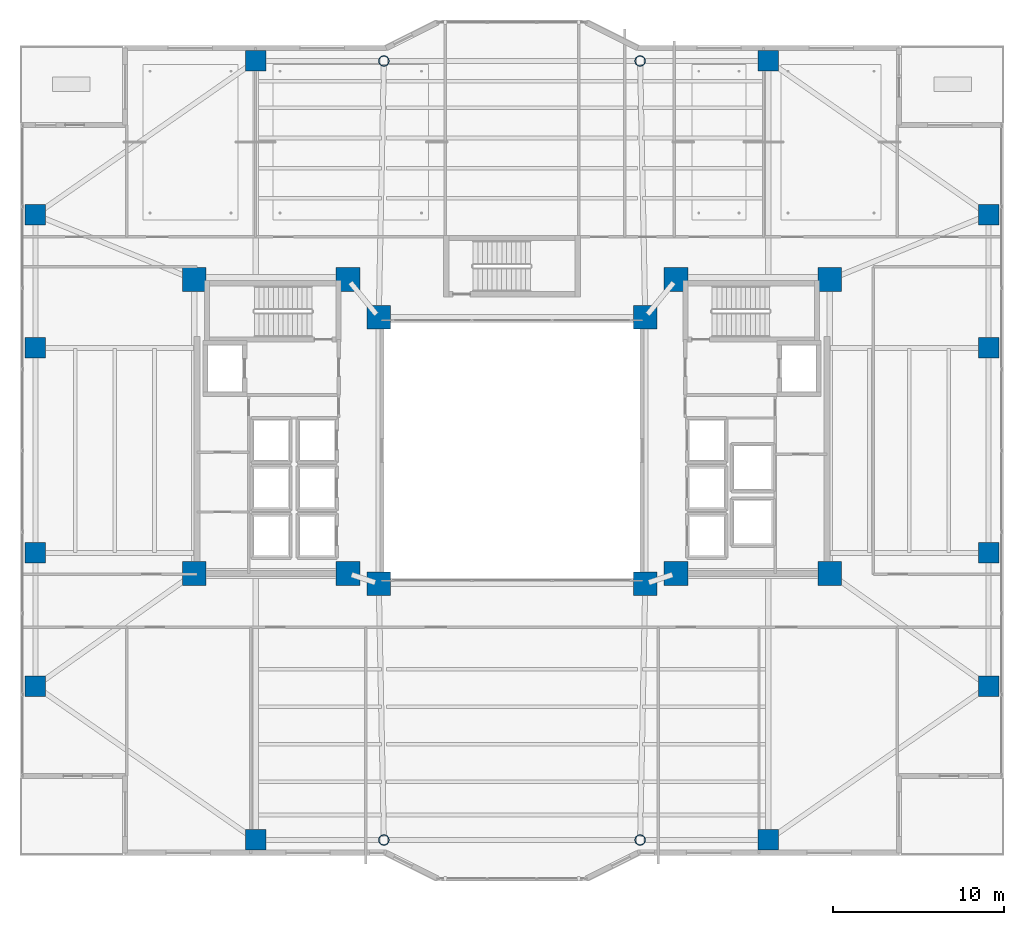
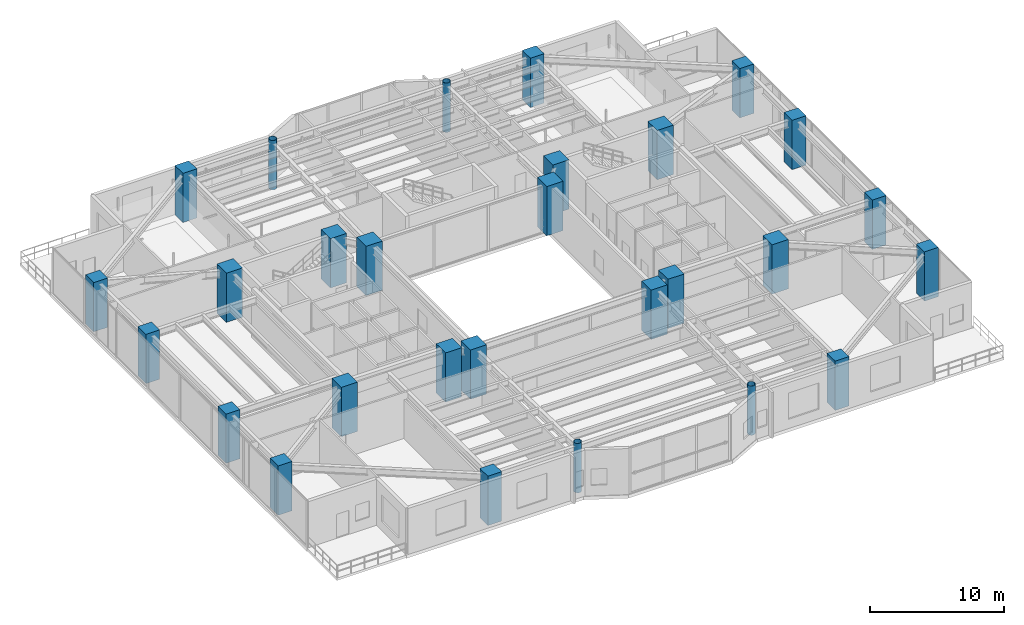
# One storey, part 1 of 39: 28 columns.
"""IFC4 building model written with IfcOpenShell, lengths in metres."""

from ifc_helpers import new_model, si_unit, direction, frame, origin, origin_2d, place, context, subcontext, project, spatial, rectangle, hollow_circle, extrude, material, material_profile, profile_set, type_object, element, save


model = new_model("IFC4")

# Units and contexts
model_context = context("Model", 3, precision=1e-05, world=origin(), true_north=direction((0.0, 1.0)))
body_context = subcontext(model_context, "Body", "Model", "MODEL_VIEW")
ifc_project = project(units=[si_unit("LENGTHUNIT", "METRE"), si_unit("AREAUNIT", "SQUARE_METRE"), si_unit("VOLUMEUNIT", "CUBIC_METRE"), si_unit("PLANEANGLEUNIT", "RADIAN"), si_unit("MASSUNIT", "GRAM", prefix="KILO")], contexts=[model_context])

# Site, building, storey
site_placement = place(None, origin())
site = spatial("IfcSite", under=ifc_project, at=site_placement, CompositionType="ELEMENT")
building_placement = place(site_placement, origin())
building = spatial("IfcBuilding", under=site, at=building_placement, Name="Tarnavaz Court Tower", CompositionType="ELEMENT")
storey_placement = place(building_placement, frame((0.0, 0.0, 68.699951171875)))
storey = spatial("IfcBuildingStorey", under=building, at=storey_placement, Name="L18", CompositionType="ELEMENT", Elevation=68.699951171875)

# Columns
ifc_material_1 = material(Name="Concrete C60/75", Category="concrete")
ifc_material_profile_1 = material_profile(ifc_material_1, rectangle(XDim=1.199951171875, YDim=1.199951171875, at=origin_2d()), Name="RC 1200X1200")
ifc_profile_set_1 = profile_set([ifc_material_profile_1], Name="Concrete C60/75")
column_type_1 = type_object("IfcColumnType", Name="CL-RC1200", PredefinedType="COLUMN", material=ifc_profile_set_1)
for number, where, z_axis, x_axis, name in (
    (1, (-15.0, 22.800048828125, 0.0), (0.0, 0.0, 1.0), (1.0, 0.0, 0.0), "L18 Column PN-1"),
    (2, (15.0, 22.800048828125, 0.0), (0.0, 0.0, 1.0), (1.0, 0.0, 0.0), "L18 Column PN-4"),
    (3, (-15.0, -22.800048828125, 0.0), (0.0, 0.0, 1.0), (1.0, 0.0, 0.0), "L18 Column PS-1"),
    (4, (15.0, -22.800048828125, 0.0), (0.0, 0.0, 1.0), (1.0, 0.0, 0.0), "L18 Column PS-4"),
    (5, (27.89990234375, -13.800048828125, 0.0), (0.0, 0.0, 1.0), (1.0, 0.0, 0.0), "L18 Column PE-1"),
    (6, (27.89990234375, -6.0, 0.0), (0.0, 0.0, 1.0), (1.0, 0.0, 0.0), "L18 Column PE-2"),
    (7, (27.89990234375, 6.0, 0.0), (0.0, 0.0, 1.0), (1.0, 0.0, 0.0), "L18 Column PE-3"),
    (8, (27.89990234375, 13.800048828125, 0.0), (0.0, 0.0, 1.0), (1.0, 0.0, 0.0), "L18 Column PE-4"),
    (9, (-27.89990234375, -13.800048828125, 0.0), (0.0, 0.0, 1.0), (1.0, 0.0, 0.0), "L18 Column PW-1"),
    (10, (-27.89990234375, -6.0, 0.0), (0.0, 0.0, 1.0), (1.0, 0.0, 0.0), "L18 Column PW-2"),
    (11, (-27.89990234375, 6.0, 0.0), (0.0, 0.0, 1.0), (1.0, 0.0, 0.0), "L18 Column PW-3"),
    (12, (-27.89990234375, 13.800048828125, 0.0), (0.0, 0.0, 1.0), (1.0, 0.0, 0.0), "L18 Column PW-4"),
):
    element("IfcColumn", number, at=place(storey_placement, frame(where, z_axis=z_axis, x_axis=x_axis)), inside=storey, type_object=column_type_1, Name=name, PredefinedType="COLUMN", context=body_context, shape_type="SweptSolid", body=[
        extrude(rectangle(XDim=1.199951171875, YDim=1.199951171875, at=origin_2d()), origin(), (0.0, 0.0, 1.0), 4.5),
    ])
ifc_material_profile_2 = material_profile(ifc_material_1, rectangle(XDim=1.39990234375, YDim=1.39990234375, at=origin_2d()), Name="RC 1400X1400")
ifc_profile_set_2 = profile_set([ifc_material_profile_2], Name="Concrete C60/75")
column_type_2 = type_object("IfcColumnType", Name="CL-RC1400", PredefinedType="COLUMN", material=ifc_profile_set_2)
for number, where, z_axis, x_axis, name in (
    (13, (-7.800048828125, -7.800048828125, 0.0), (0.0, 0.0, 1.0), (1.0, 0.0, 0.0), "L18 Column IW-SW"),
    (14, (7.800048828125, -7.800048828125, 0.0), (0.0, 0.0, 1.0), (1.0, 0.0, 0.0), "L18 Column IW-SE"),
    (15, (-7.800048828125, 7.800048828125, 0.0), (0.0, 0.0, 1.0), (1.0, 0.0, 0.0), "L18 Column IW-NW"),
    (16, (7.800048828125, 7.800048828125, 0.0), (0.0, 0.0, 1.0), (1.0, 0.0, 0.0), "L18 Column IW-NE"),
    (17, (-9.60009765625, -7.199951171875, 0.0), (0.0, 0.0, 1.0), (1.0, 0.0, 0.0), "L18 Column CW-SI"),
    (18, (-9.60009765625, 10.0, 0.0), (0.0, 0.0, 1.0), (1.0, 0.0, 0.0), "L18 Column CW-NI"),
    (19, (9.60009765625, -7.199951171875, 0.0), (0.0, 0.0, 1.0), (1.0, 0.0, 0.0), "L18 Column CE-SI"),
    (20, (9.60009765625, 10.0, 0.0), (0.0, 0.0, 1.0), (1.0, 0.0, 0.0), "L18 Column CE-NI"),
    (21, (-18.60009765625, -7.199951171875, 0.0), (0.0, 0.0, 1.0), (1.0, 0.0, 0.0), "L18 Column CW-SO"),
    (22, (-18.60009765625, 10.0, 0.0), (0.0, 0.0, 1.0), (1.0, 0.0, 0.0), "L18 Column CW-NO"),
    (23, (18.60009765625, -7.199951171875, 0.0), (0.0, 0.0, 1.0), (1.0, 0.0, 0.0), "L18 Column CE-SO"),
    (24, (18.60009765625, 10.0, 0.0), (0.0, 0.0, 1.0), (1.0, 0.0, 0.0), "L18 Column CE-NO"),
):
    element("IfcColumn", number, at=place(storey_placement, frame(where, z_axis=z_axis, x_axis=x_axis)), inside=storey, type_object=column_type_2, Name=name, PredefinedType="COLUMN", context=body_context, shape_type="SweptSolid", body=[
        extrude(rectangle(XDim=1.39990234375, YDim=1.39990234375, at=origin_2d()), origin(), (0.0, 0.0, 1.0), 4.5),
    ])
ifc_material_2 = material(Name="Steel S460", Category="steel")
ifc_material_profile_3 = material_profile(ifc_material_2, hollow_circle(Radius=0.304931640625, WallThickness=0.02490234375, at=origin_2d()), Name="CHS 610X25")
ifc_profile_set_3 = profile_set([ifc_material_profile_3], Name="Steel S460")
column_type_3 = type_object("IfcColumnType", Name="CL-S460-CHS610", PredefinedType="COLUMN", material=ifc_profile_set_3)
for number, where, z_axis, x_axis, name in (
    (25, (-7.5, 22.800048828125, 0.0), (0.0, 0.0, 1.0), (1.0, 0.0, 0.0), "L18 Column PN-2"),
    (26, (7.5, 22.800048828125, 0.0), (0.0, 0.0, 1.0), (1.0, 0.0, 0.0), "L18 Column PN-3"),
    (27, (-7.5, -22.800048828125, 0.0), (0.0, 0.0, 1.0), (1.0, 0.0, 0.0), "L18 Column PS-2"),
    (28, (7.5, -22.800048828125, 0.0), (0.0, 0.0, 1.0), (1.0, 0.0, 0.0), "L18 Column PS-3"),
):
    element("IfcColumn", number, at=place(storey_placement, frame(where, z_axis=z_axis, x_axis=x_axis)), inside=storey, type_object=column_type_3, Name=name, PredefinedType="COLUMN", context=body_context, shape_type="SweptSolid", body=[
        extrude(hollow_circle(Radius=0.304931640625, WallThickness=0.02490234375, at=origin_2d()), origin(), (0.0, 0.0, 1.0), 4.5),
    ])

save(model, "model.ifc")
